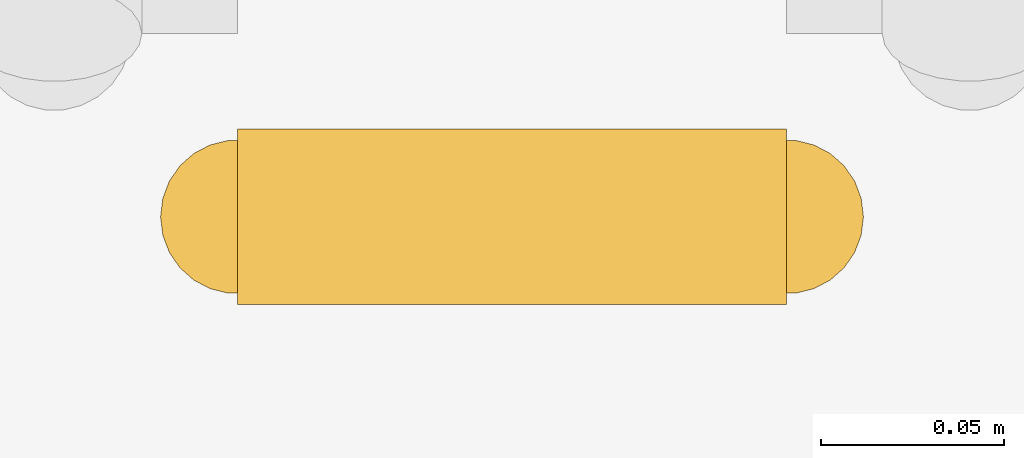
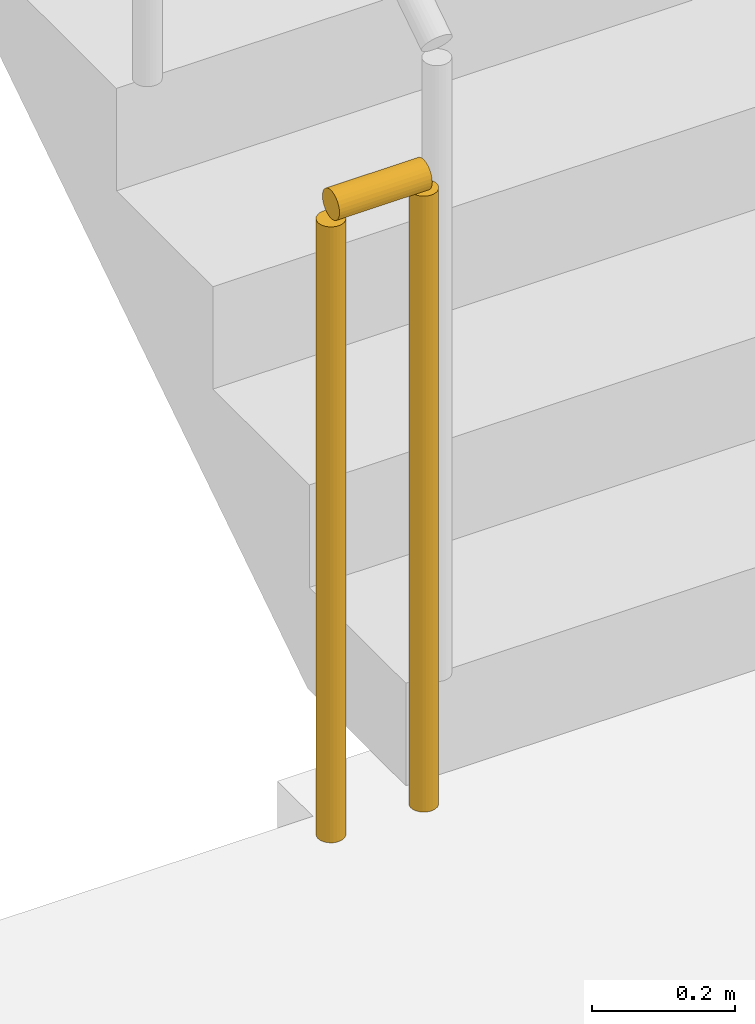
# One storey, part 16 of 19: 1 railing.
"""IFC4 building model written with IfcOpenShell, lengths in metres."""

from ifc_helpers import new_model, si_unit, direction, frame, origin, origin_2d, place, context, subcontext, project, spatial, circle, extrude, material, type_object, element, save


model = new_model("IFC4")

# Units and contexts
model_context = context("Model", 3, precision=1e-05, world=origin(), true_north=direction((0.0, 1.0)))
body_context = subcontext(model_context, "Body", "Model", "MODEL_VIEW")
ifc_project = project(units=[si_unit("LENGTHUNIT", "METRE"), si_unit("AREAUNIT", "SQUARE_METRE"), si_unit("VOLUMEUNIT", "CUBIC_METRE"), si_unit("PLANEANGLEUNIT", "RADIAN"), si_unit("MASSUNIT", "GRAM", prefix="KILO")], contexts=[model_context])

# Site, building, storey
site_placement = place(None, origin())
site = spatial("IfcSite", under=ifc_project, at=site_placement, CompositionType="ELEMENT")
building_placement = place(site_placement, origin())
building = spatial("IfcBuilding", under=site, at=building_placement, Name="Saffron Iwan Residences", CompositionType="ELEMENT")
storey_placement = place(building_placement, frame((0.0, 0.0, 246.5)))
storey = spatial("IfcBuildingStorey", under=building, at=storey_placement, Name="L66", CompositionType="ELEMENT", Elevation=246.5)

# Railing
ifc_material = material(Name="Steel S355", Category="steel")
railing_type = type_object("IfcRailingType", Name="Stair guard 1100", PredefinedType="GUARDRAIL", material=ifc_material)
railing_placement = place(storey_placement, frame((69.699951171875, 67.800048828125, 0.0)))
element("IfcRailing", 1, at=railing_placement, inside=storey, type_object=railing_type, Name="L66 ST-E stair guard 2", PredefinedType="GUARDRAIL", context=body_context, shape_type="SweptSolid", body=[
    extrude(circle(Radius=0.02392578125, at=origin_2d()), frame((0.0, 0.0, 1.076171875), z_axis=(-1.0, 0.0, 0.0), x_axis=(0.0, -1.0, 0.0)), (0.0, 0.0, 1.0), 0.14990234375),
    extrude(circle(Radius=0.02099609375, at=origin_2d()), origin(), (0.0, 0.0, 1.0), 1.052001953125),
    extrude(circle(Radius=0.02099609375, at=origin_2d()), frame((-0.14990234375, 0.0, 0.0)), (0.0, 0.0, 1.0), 1.052001953125),
])

save(model, "model.ifc")
